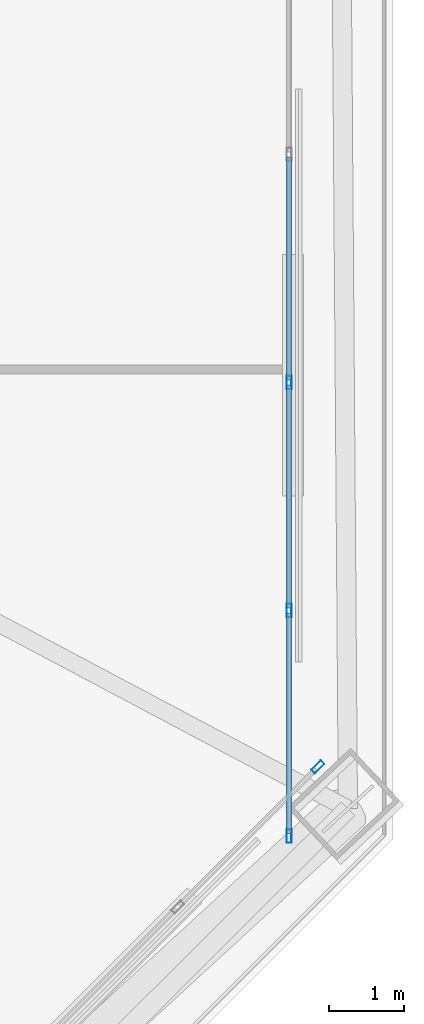
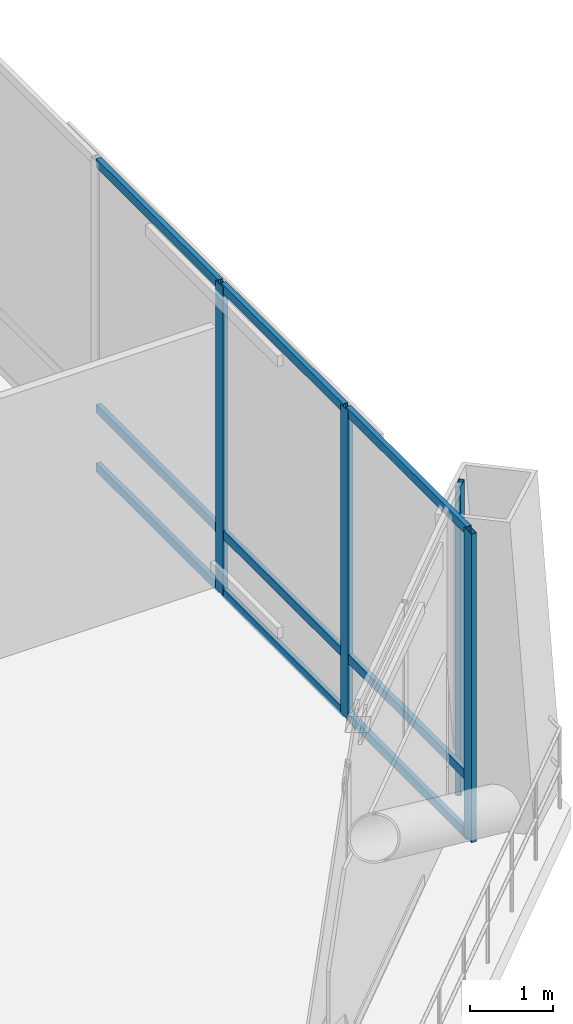
# One storey, part 22 of 48: 13 members, 2 elements without a shape of their own.
"""IFC4 building model written with IfcOpenShell, lengths in metres."""

from ifc_helpers import new_model, si_unit, direction, frame, origin, origin_2d, place, context, subcontext, project, spatial, hollow_rectangle, extrude, material, layer, layer_set, material_profile, profile_set, type_object, element, aggregate, save


model = new_model("IFC4")

# Units and contexts
model_context = context("Model", 3, precision=1e-05, world=origin(), true_north=direction((0.0, 1.0)))
body_context = subcontext(model_context, "Body", "Model", "MODEL_VIEW")
ifc_project = project(units=[si_unit("LENGTHUNIT", "METRE"), si_unit("AREAUNIT", "SQUARE_METRE"), si_unit("VOLUMEUNIT", "CUBIC_METRE"), si_unit("PLANEANGLEUNIT", "RADIAN"), si_unit("MASSUNIT", "GRAM", prefix="KILO")], contexts=[model_context])

# Site, building, storey
site_placement = place(None, origin())
site = spatial("IfcSite", under=ifc_project, at=site_placement, CompositionType="ELEMENT")
building_placement = place(site_placement, origin())
building = spatial("IfcBuilding", under=site, at=building_placement, Name="Caelvoria Tower", CompositionType="ELEMENT")
storey_placement = place(building_placement, frame((0.0, 0.0, 90.39990234375)))
storey = spatial("IfcBuildingStorey", under=building, at=storey_placement, Name="L23", CompositionType="ELEMENT", Elevation=90.39990234375)

# Curtain wall, member
ifc_material_1 = material(Name="Anodised Bronze Aluminium and Low-E Glass", Category="aluminium")
ifc_layer = layer(ifc_material_1, 0.2099609375, Name="Anodised Bronze Aluminium and Low-E Glass")
ifc_layer_set = layer_set([ifc_layer], Name="CW System 3 Sky Lobby Double-Height Acoustic Facade - Anodised Bronze Aluminium and Low-E Glass")
curtain_wall_type = type_object("IfcCurtainWallType", Name="CW System 3 Sky Lobby Double-Height Acoustic Facade", PredefinedType="NOTDEFINED", material=ifc_layer_set)
curtain_wall_1_placement = place(storey_placement, origin())
curtain_wall_1 = element("IfcCurtainWall", 1, at=curtain_wall_1_placement, inside=storey, type_object=curtain_wall_type, Name="CW-03 Curtain Wall L23-E1", PredefinedType="NOTDEFINED")
ifc_material_2 = material(Name="Anodised Bronze Architectural Aluminium", Category="aluminium")
ifc_material_profile_1 = material_profile(ifc_material_2, hollow_rectangle(XDim=0.070068359375, YDim=0.179931640625, WallThickness=0.00390625, at=origin_2d()), Name="Anodised Bronze Architectural Aluminium")
ifc_profile_set_1 = profile_set([ifc_material_profile_1], Name="CW_MULL_70X180 - Anodised Bronze Architectural Aluminium")
member_type_1 = type_object("IfcMemberType", Name="Curtain Wall Mullion 70x180 Bronze Aluminium", PredefinedType="MULLION", material=ifc_profile_set_1)
member_1_placement = place(storey_placement, frame((70.1162109375, 16.31787109375, 0.0), z_axis=(0.0, 0.0, 1.0), x_axis=(-0.707106781187, 0.707106781187, 0.0)))
member_1 = element("IfcMember", 2, at=member_1_placement, type_object=member_type_1, Name="CW-03 mullion 4", PredefinedType="MULLION", context=body_context, shape_type="SweptSolid", body=[
    extrude(hollow_rectangle(XDim=0.070068359375, YDim=0.179931640625, WallThickness=0.00390625, at=origin_2d()), origin(), (0.0, 0.0, 1.0), 4.56005859375),
])
aggregate(curtain_wall_1, [member_1])

# Curtain wall, members
curtain_wall_2_placement = place(storey_placement, origin())
curtain_wall_2 = element("IfcCurtainWall", 3, at=curtain_wall_2_placement, inside=storey, type_object=curtain_wall_type, Name="CW-03 Curtain Wall L23-E2", PredefinedType="NOTDEFINED")
member_2_placement = place(storey_placement, frame((69.73681640625, 15.401611328125, 0.0), z_axis=(0.0, 0.0, 1.0), x_axis=(-1.0, 0.0, 0.0)))
member_2 = element("IfcMember", 4, at=member_2_placement, type_object=member_type_1, Name="CW-03 mullion 1", PredefinedType="MULLION", context=body_context, shape_type="SweptSolid", body=[
    extrude(hollow_rectangle(XDim=0.070068359375, YDim=0.179931640625, WallThickness=0.00390625, at=origin_2d()), origin(), (0.0, 0.0, 1.0), 4.56005859375),
])
member_3_placement = place(storey_placement, frame((69.73681640625, 18.390869140625, 0.0), z_axis=(0.0, 0.0, 1.0), x_axis=(-1.0, 0.0, 0.0)))
member_3 = element("IfcMember", 5, at=member_3_placement, type_object=member_type_1, Name="CW-03 mullion 2", PredefinedType="MULLION", context=body_context, shape_type="SweptSolid", body=[
    extrude(hollow_rectangle(XDim=0.070068359375, YDim=0.179931640625, WallThickness=0.00390625, at=origin_2d()), origin(), (0.0, 0.0, 1.0), 4.56005859375),
])
member_4_placement = place(storey_placement, frame((69.73681640625, 21.415283203125, 0.0), z_axis=(0.0, 0.0, 1.0), x_axis=(-1.0, 0.0, 0.0)))
member_4 = element("IfcMember", 6, at=member_4_placement, type_object=member_type_1, Name="CW-03 mullion 3", PredefinedType="MULLION", context=body_context, shape_type="SweptSolid", body=[
    extrude(hollow_rectangle(XDim=0.070068359375, YDim=0.179931640625, WallThickness=0.00390625, at=origin_2d()), origin(), (0.0, 0.0, 1.0), 4.56005859375),
])
ifc_material_profile_2 = material_profile(ifc_material_2, hollow_rectangle(XDim=0.06494140625, YDim=0.1298828125, WallThickness=0.00341796875, at=origin_2d()), Name="Anodised Bronze Architectural Aluminium")
ifc_profile_set_2 = profile_set([ifc_material_profile_2], Name="CW_TRAN_65X130 - Anodised Bronze Architectural Aluminium")
member_type_2 = type_object("IfcMemberType", Name="Curtain Wall Transom 65x130 Bronze Aluminium", PredefinedType="USERDEFINED", material=ifc_profile_set_2)
member_5_placement = place(storey_placement, frame((69.73681640625, 15.436767578125, 0.03271484375), z_axis=(0.0, 1.0, 0.0), x_axis=(-1.0, 0.0, 0.0)))
member_5 = element("IfcMember", 7, at=member_5_placement, type_object=member_type_2, Name="CW-03 transom 1.1", ObjectType="TRANSOM", PredefinedType="USERDEFINED", context=body_context, shape_type="SweptSolid", body=[
    extrude(hollow_rectangle(XDim=0.06494140625, YDim=0.1298828125, WallThickness=0.00341796875, at=origin_2d()), origin(), (0.0, 0.0, 1.0), 2.919189453125),
])
member_6_placement = place(storey_placement, frame((69.73681640625, 15.436767578125, 0.900146484375), z_axis=(0.0, 1.0, 0.0), x_axis=(-1.0, 0.0, 0.0)))
member_6 = element("IfcMember", 8, at=member_6_placement, type_object=member_type_2, Name="CW-03 transom 1.2", ObjectType="TRANSOM", PredefinedType="USERDEFINED", context=body_context, shape_type="SweptSolid", body=[
    extrude(hollow_rectangle(XDim=0.06494140625, YDim=0.1298828125, WallThickness=0.00341796875, at=origin_2d()), origin(), (0.0, 0.0, 1.0), 2.919189453125),
])
member_7_placement = place(storey_placement, frame((69.73681640625, 15.436767578125, 4.527587890625), z_axis=(0.0, 1.0, 0.0), x_axis=(-1.0, 0.0, 0.0)))
member_7 = element("IfcMember", 9, at=member_7_placement, type_object=member_type_2, Name="CW-03 transom 1.3", ObjectType="TRANSOM", PredefinedType="USERDEFINED", context=body_context, shape_type="SweptSolid", body=[
    extrude(hollow_rectangle(XDim=0.06494140625, YDim=0.1298828125, WallThickness=0.00341796875, at=origin_2d()), origin(), (0.0, 0.0, 1.0), 2.919189453125),
])
member_8_placement = place(storey_placement, frame((69.73681640625, 18.426025390625, 0.03271484375), z_axis=(0.0, 1.0, 0.0), x_axis=(-1.0, 0.0, 0.0)))
member_8 = element("IfcMember", 10, at=member_8_placement, type_object=member_type_2, Name="CW-03 transom 2.1", ObjectType="TRANSOM", PredefinedType="USERDEFINED", context=body_context, shape_type="SweptSolid", body=[
    extrude(hollow_rectangle(XDim=0.06494140625, YDim=0.1298828125, WallThickness=0.00341796875, at=origin_2d()), origin(), (0.0, 0.0, 1.0), 2.9541015625),
])
member_9_placement = place(storey_placement, frame((69.73681640625, 18.426025390625, 0.900146484375), z_axis=(0.0, 1.0, 0.0), x_axis=(-1.0, 0.0, 0.0)))
member_9 = element("IfcMember", 11, at=member_9_placement, type_object=member_type_2, Name="CW-03 transom 2.2", ObjectType="TRANSOM", PredefinedType="USERDEFINED", context=body_context, shape_type="SweptSolid", body=[
    extrude(hollow_rectangle(XDim=0.06494140625, YDim=0.1298828125, WallThickness=0.00341796875, at=origin_2d()), origin(), (0.0, 0.0, 1.0), 2.9541015625),
])
member_10_placement = place(storey_placement, frame((69.73681640625, 18.426025390625, 4.527587890625), z_axis=(0.0, 1.0, 0.0), x_axis=(-1.0, 0.0, 0.0)))
member_10 = element("IfcMember", 12, at=member_10_placement, type_object=member_type_2, Name="CW-03 transom 2.3", ObjectType="TRANSOM", PredefinedType="USERDEFINED", context=body_context, shape_type="SweptSolid", body=[
    extrude(hollow_rectangle(XDim=0.06494140625, YDim=0.1298828125, WallThickness=0.00341796875, at=origin_2d()), origin(), (0.0, 0.0, 1.0), 2.9541015625),
])
member_11_placement = place(storey_placement, frame((69.73681640625, 21.4501953125, 0.03271484375), z_axis=(0.0, 1.0, 0.0), x_axis=(-1.0, 0.0, 0.0)))
member_11 = element("IfcMember", 13, at=member_11_placement, type_object=member_type_2, Name="CW-03 transom 3.1", ObjectType="TRANSOM", PredefinedType="USERDEFINED", context=body_context, shape_type="SweptSolid", body=[
    extrude(hollow_rectangle(XDim=0.06494140625, YDim=0.1298828125, WallThickness=0.00341796875, at=origin_2d()), origin(), (0.0, 0.0, 1.0), 2.9541015625),
])
member_12_placement = place(storey_placement, frame((69.73681640625, 21.4501953125, 0.900146484375), z_axis=(0.0, 1.0, 0.0), x_axis=(-1.0, 0.0, 0.0)))
member_12 = element("IfcMember", 14, at=member_12_placement, type_object=member_type_2, Name="CW-03 transom 3.2", ObjectType="TRANSOM", PredefinedType="USERDEFINED", context=body_context, shape_type="SweptSolid", body=[
    extrude(hollow_rectangle(XDim=0.06494140625, YDim=0.1298828125, WallThickness=0.00341796875, at=origin_2d()), origin(), (0.0, 0.0, 1.0), 2.9541015625),
])
member_13_placement = place(storey_placement, frame((69.73681640625, 21.4501953125, 4.527587890625), z_axis=(0.0, 1.0, 0.0), x_axis=(-1.0, 0.0, 0.0)))
member_13 = element("IfcMember", 15, at=member_13_placement, type_object=member_type_2, Name="CW-03 transom 3.3", ObjectType="TRANSOM", PredefinedType="USERDEFINED", context=body_context, shape_type="SweptSolid", body=[
    extrude(hollow_rectangle(XDim=0.06494140625, YDim=0.1298828125, WallThickness=0.00341796875, at=origin_2d()), origin(), (0.0, 0.0, 1.0), 2.9541015625),
])
aggregate(curtain_wall_2, [member_2, member_3, member_4, member_5, member_6, member_7, member_8, member_9, member_10, member_11, member_12, member_13])

save(model, "model.ifc")
